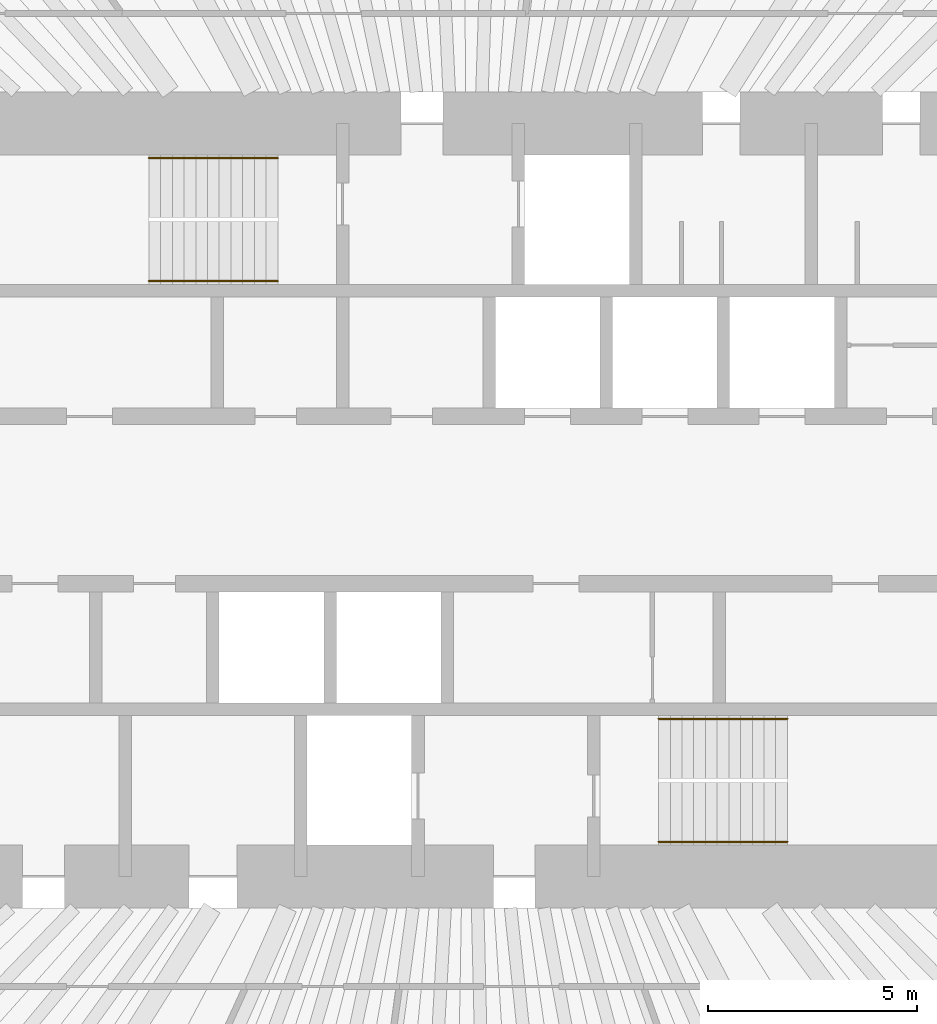
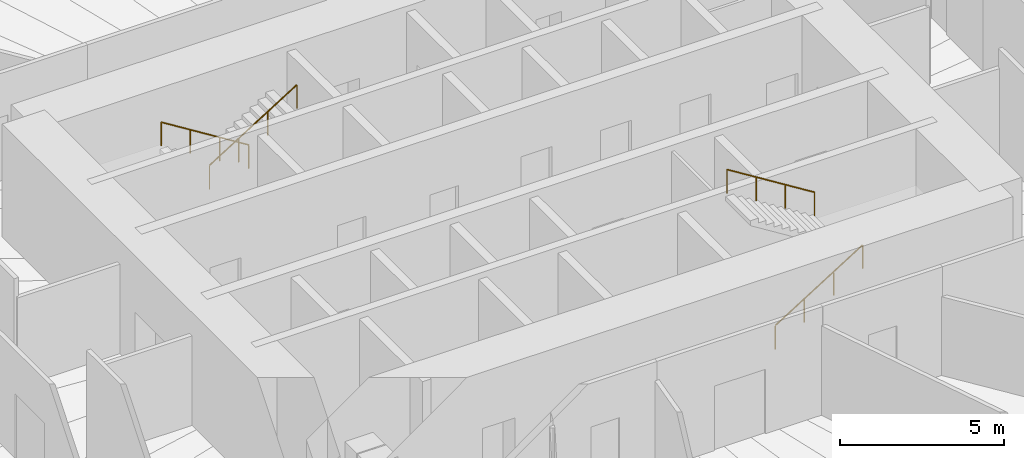
# One storey, part 13 of 13: 4 railings.
"""IFC4 building model written with IfcOpenShell, lengths in metres."""

from ifc_helpers import new_model, si_unit, direction, frame, origin, origin_2d, place, context, subcontext, project, spatial, circle, extrude, material, type_object, element, save


model = new_model("IFC4")

# Units and contexts
model_context = context("Model", 3, precision=1e-05, world=origin(), true_north=direction((0.0, 1.0)))
body_context = subcontext(model_context, "Body", "Model", "MODEL_VIEW")
ifc_project = project(units=[si_unit("LENGTHUNIT", "METRE"), si_unit("AREAUNIT", "SQUARE_METRE"), si_unit("VOLUMEUNIT", "CUBIC_METRE"), si_unit("PLANEANGLEUNIT", "RADIAN"), si_unit("MASSUNIT", "GRAM", prefix="KILO")], contexts=[model_context])

# Site, building, storey
site_placement = place(None, origin())
site = spatial("IfcSite", under=ifc_project, at=site_placement, CompositionType="ELEMENT")
building_placement = place(site_placement, origin())
building = spatial("IfcBuilding", under=site, at=building_placement, Name="Qingtian Harvest Tower", CompositionType="ELEMENT")
storey_placement = place(building_placement, frame((0.0, 0.0, 128.199951171875)))
storey = spatial("IfcBuildingStorey", under=building, at=storey_placement, Name="L26", CompositionType="ELEMENT", Elevation=128.199951171875)

# Railings
ifc_material = material(Name="Stainless steel handrail", Category="steel")
railing_type = type_object("IfcRailingType", Name="Handrail HR1", PredefinedType="HANDRAIL", material=ifc_material)
railing_1_placement = place(storey_placement, frame((-4.550048828125, 8.169921875, 0.175048828125)))
element("IfcRailing", 1, at=railing_1_placement, inside=storey, type_object=railing_type, Name="Handrail HR1 S1 flight 1", PredefinedType="HANDRAIL", context=body_context, shape_type="SweptSolid", body=[
    extrude(circle(Radius=0.02392578125, at=origin_2d()), frame((0.0, 0.0, 0.8759765625), z_axis=(-0.847979421464, 0.0, 0.530029150871), x_axis=(0.0, -1.0, 0.0)), (0.0, 0.0, 1.0), 3.632080078125),
    extrude(circle(Radius=0.02099609375, at=origin_2d()), origin(), (0.0, 0.0, 1.0), 0.851806640625),
    extrude(circle(Radius=0.02099609375, at=origin_2d()), frame((-1.026611328125, 0.0, 0.6416015625)), (0.0, 0.0, 1.0), 0.851806640625),
    extrude(circle(Radius=0.02099609375, at=origin_2d()), frame((-2.05322265625, 0.0, 1.283447265625)), (0.0, 0.0, 1.0), 0.851806640625),
    extrude(circle(Radius=0.02099609375, at=origin_2d()), frame((-3.079833984375, 0.0, 1.925048828125)), (0.0, 0.0, 1.0), 0.851806640625),
])
railing_2_placement = place(storey_placement, frame((-7.6298828125, 5.22998046875, 2.275146484375)))
element("IfcRailing", 2, at=railing_2_placement, inside=storey, type_object=railing_type, Name="Handrail HR1 S1 flight 2", PredefinedType="HANDRAIL", context=body_context, shape_type="SweptSolid", body=[
    extrude(circle(Radius=0.02392578125, at=origin_2d()), frame((0.0, 0.0, 0.8759765625), z_axis=(0.848009633417, 0.0, 0.529980812513), x_axis=(0.0, 1.0, 0.0)), (0.0, 0.0, 1.0), 3.6318359375),
    extrude(circle(Radius=0.02099609375, at=origin_2d()), origin(), (0.0, 0.0, 1.0), 0.851806640625),
    extrude(circle(Radius=0.02099609375, at=origin_2d()), frame((1.026611328125, 0.0, 0.6416015625)), (0.0, 0.0, 1.0), 0.851806640625),
    extrude(circle(Radius=0.02099609375, at=origin_2d()), frame((2.05322265625, 0.0, 1.283203125)), (0.0, 0.0, 1.0), 0.851806640625),
    extrude(circle(Radius=0.02099609375, at=origin_2d()), frame((3.079833984375, 0.0, 1.9248046875)), (0.0, 0.0, 1.0), 0.851806640625),
])
railing_3_placement = place(storey_placement, frame((4.550048828125, -8.169921875, 0.175048828125)))
element("IfcRailing", 3, at=railing_3_placement, inside=storey, type_object=railing_type, Name="Handrail HR1 S2 flight 1", PredefinedType="HANDRAIL", context=body_context, shape_type="SweptSolid", body=[
    extrude(circle(Radius=0.02392578125, at=origin_2d()), frame((0.0, 0.0, 0.8759765625), z_axis=(0.847979421464, 0.0, 0.530029150871), x_axis=(0.0, 1.0, 0.0)), (0.0, 0.0, 1.0), 3.632080078125),
    extrude(circle(Radius=0.02099609375, at=origin_2d()), origin(), (0.0, 0.0, 1.0), 0.851806640625),
    extrude(circle(Radius=0.02099609375, at=origin_2d()), frame((1.026611328125, 0.0, 0.6416015625)), (0.0, 0.0, 1.0), 0.851806640625),
    extrude(circle(Radius=0.02099609375, at=origin_2d()), frame((2.05322265625, 0.0, 1.283447265625)), (0.0, 0.0, 1.0), 0.851806640625),
    extrude(circle(Radius=0.02099609375, at=origin_2d()), frame((3.079833984375, 0.0, 1.925048828125)), (0.0, 0.0, 1.0), 0.851806640625),
])
railing_4_placement = place(storey_placement, frame((7.6298828125, -5.22998046875, 2.275146484375)))
element("IfcRailing", 4, at=railing_4_placement, inside=storey, type_object=railing_type, Name="Handrail HR1 S2 flight 2", PredefinedType="HANDRAIL", context=body_context, shape_type="SweptSolid", body=[
    extrude(circle(Radius=0.02392578125, at=origin_2d()), frame((0.0, 0.0, 0.8759765625), z_axis=(-0.848009633417, 0.0, 0.529980812513), x_axis=(0.0, -1.0, 0.0)), (0.0, 0.0, 1.0), 3.6318359375),
    extrude(circle(Radius=0.02099609375, at=origin_2d()), origin(), (0.0, 0.0, 1.0), 0.851806640625),
    extrude(circle(Radius=0.02099609375, at=origin_2d()), frame((-1.026611328125, 0.0, 0.6416015625)), (0.0, 0.0, 1.0), 0.851806640625),
    extrude(circle(Radius=0.02099609375, at=origin_2d()), frame((-2.05322265625, 0.0, 1.283203125)), (0.0, 0.0, 1.0), 0.851806640625),
    extrude(circle(Radius=0.02099609375, at=origin_2d()), frame((-3.079833984375, 0.0, 1.9248046875)), (0.0, 0.0, 1.0), 0.851806640625),
])

save(model, "model.ifc")
